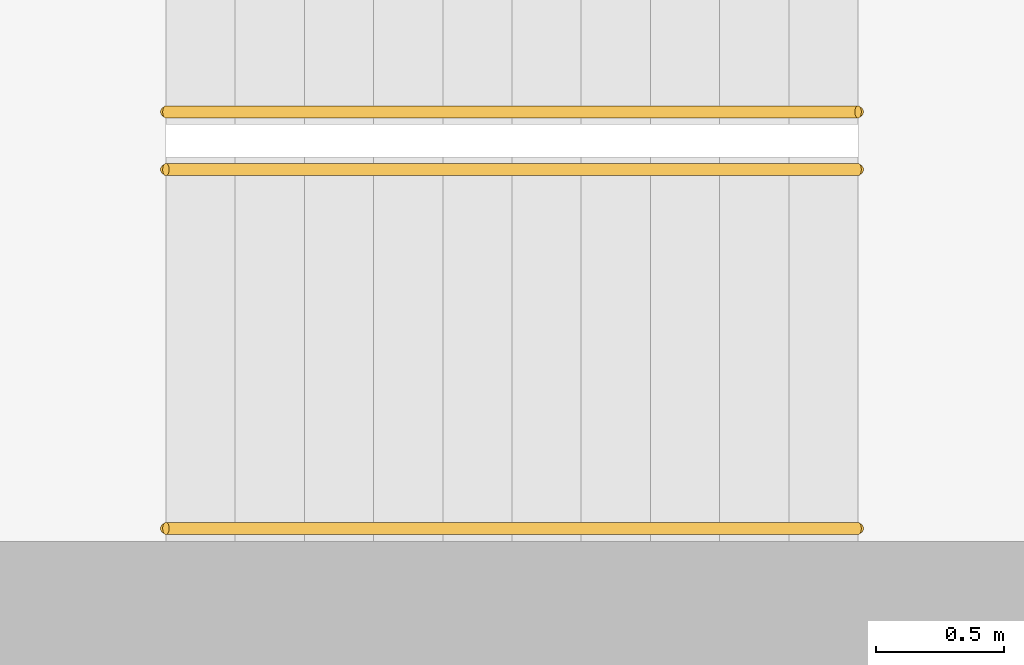
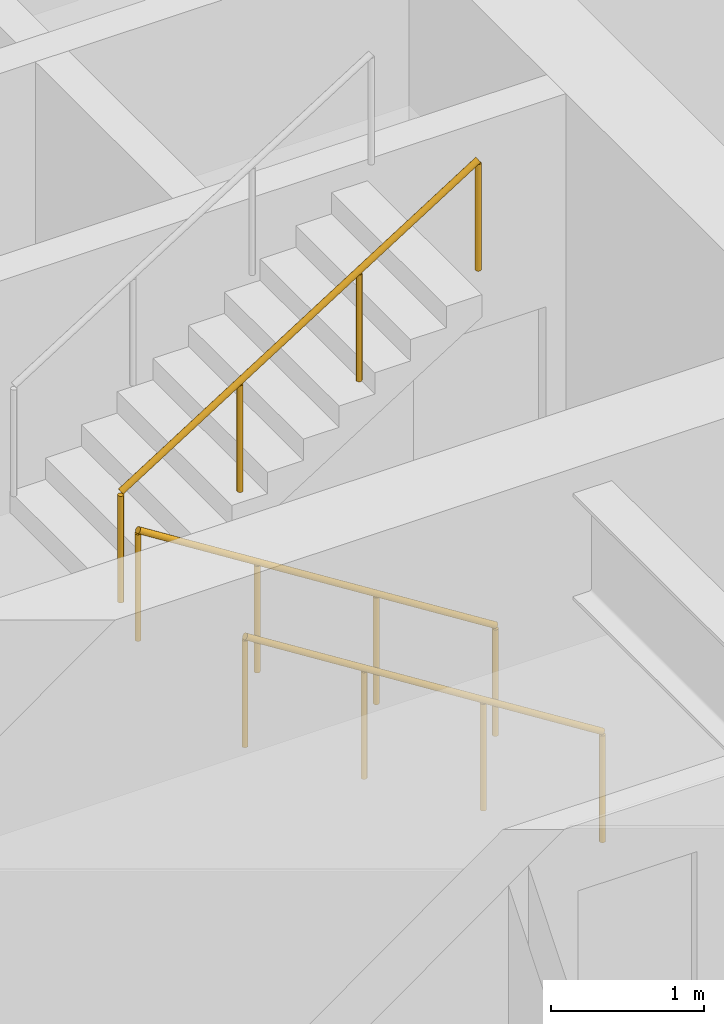
# One storey, part 13 of 16: 3 railings.
"""IFC4 building model written with IfcOpenShell, lengths in metres."""

from ifc_helpers import new_model, si_unit, direction, frame, origin, origin_2d, place, context, subcontext, project, spatial, circle, extrude, material, type_object, element, save


model = new_model("IFC4")

# Units and contexts
model_context = context("Model", 3, precision=1e-05, world=origin(), true_north=direction((0.0, 1.0)))
body_context = subcontext(model_context, "Body", "Model", "MODEL_VIEW")
ifc_project = project(units=[si_unit("LENGTHUNIT", "METRE"), si_unit("AREAUNIT", "SQUARE_METRE"), si_unit("VOLUMEUNIT", "CUBIC_METRE"), si_unit("PLANEANGLEUNIT", "RADIAN"), si_unit("MASSUNIT", "GRAM", prefix="KILO")], contexts=[model_context])

# Site, building, storey
site_placement = place(None, origin())
site = spatial("IfcSite", under=ifc_project, at=site_placement, CompositionType="ELEMENT")
building_placement = place(site_placement, origin())
building = spatial("IfcBuilding", under=site, at=building_placement, Name="Msasa Ring Tower", CompositionType="ELEMENT")
storey_placement = place(building_placement, frame((0.0, 0.0, 215.800048828125)))
storey = spatial("IfcBuildingStorey", under=building, at=storey_placement, Name="L56", CompositionType="ELEMENT", Elevation=215.800048828125)

# Railings
ifc_material = material(Name="Stainless steel", Category="steel")
railing_type = type_object("IfcRailingType", Name="HR1 HANDRAIL 900", PredefinedType="HANDRAIL", material=ifc_material)
for number, where, name in (
    (1, (-10.800048828125, -6.39990234375, 0.17041015625), "Handrail stair SWA L56 1"),
    (2, (-10.800048828125, -5.0, 0.17041015625), "Handrail stair SWA L56 2"),
):
    element("IfcRailing", number, at=place(storey_placement, frame(where)), inside=storey, type_object=railing_type, Name=name, PredefinedType="HANDRAIL", context=body_context, shape_type="SweptSolid", body=[
        extrude(circle(Radius=0.02392578125, at=origin_2d()), frame((0.0, 0.0, 0.8759765625), z_axis=(-0.845579735284, 0.0, 0.533849146555), x_axis=(0.0, -1.0, 0.0)), (0.0, 0.0, 1.0), 3.193115234375),
        extrude(circle(Radius=0.02099609375, at=origin_2d()), origin(), (0.0, 0.0, 1.0), 0.851806640625),
        extrude(circle(Radius=0.02099609375, at=origin_2d()), frame((-0.89990234375, 0.0, 0.568115234375)), (0.0, 0.0, 1.0), 0.851806640625),
        extrude(circle(Radius=0.02099609375, at=origin_2d()), frame((-1.800048828125, 0.0, 1.136474609375)), (0.0, 0.0, 1.0), 0.851806640625),
        extrude(circle(Radius=0.02099609375, at=origin_2d()), frame((-2.699951171875, 0.0, 1.70458984375)), (0.0, 0.0, 1.0), 0.851806640625),
    ])
railing_placement = place(storey_placement, frame((-13.5, -4.77490234375, 2.04541015625)))
element("IfcRailing", 3, at=railing_placement, inside=storey, type_object=railing_type, Name="Handrail stair SWA L56 3", PredefinedType="HANDRAIL", context=body_context, shape_type="SweptSolid", body=[
    extrude(circle(Radius=0.02392578125, at=origin_2d()), frame((0.0, 0.0, 0.8759765625), z_axis=(0.845579735284, 0.0, 0.533849146555), x_axis=(0.0, 1.0, 0.0)), (0.0, 0.0, 1.0), 3.193115234375),
    extrude(circle(Radius=0.02099609375, at=origin_2d()), origin(), (0.0, 0.0, 1.0), 0.851806640625),
    extrude(circle(Radius=0.02099609375, at=origin_2d()), frame((0.89990234375, 0.0, 0.568115234375)), (0.0, 0.0, 1.0), 0.851806640625),
    extrude(circle(Radius=0.02099609375, at=origin_2d()), frame((1.800048828125, 0.0, 1.136474609375)), (0.0, 0.0, 1.0), 0.851806640625),
    extrude(circle(Radius=0.02099609375, at=origin_2d()), frame((2.699951171875, 0.0, 1.70458984375)), (0.0, 0.0, 1.0), 0.851806640625),
])

save(model, "model.ifc")
